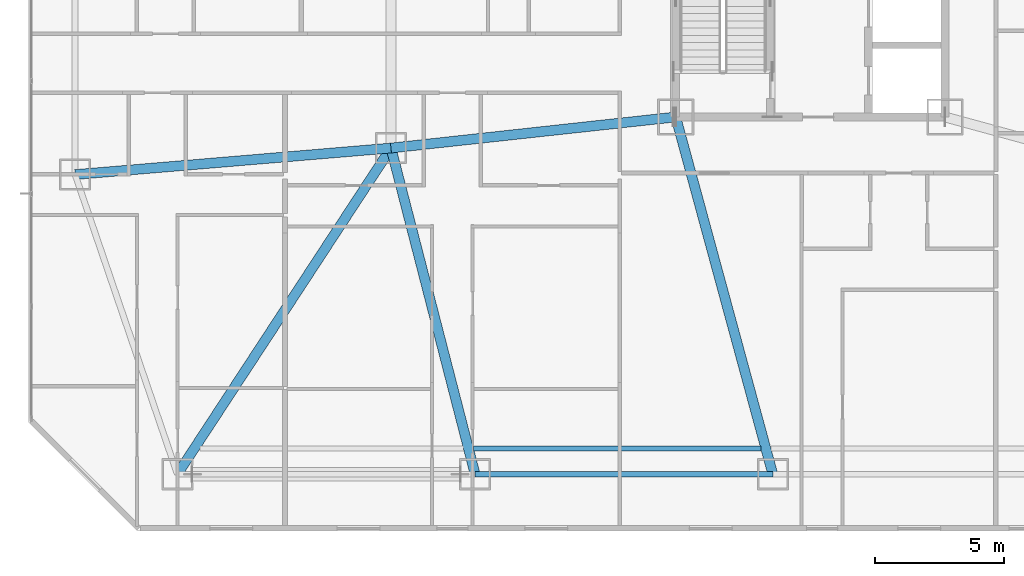
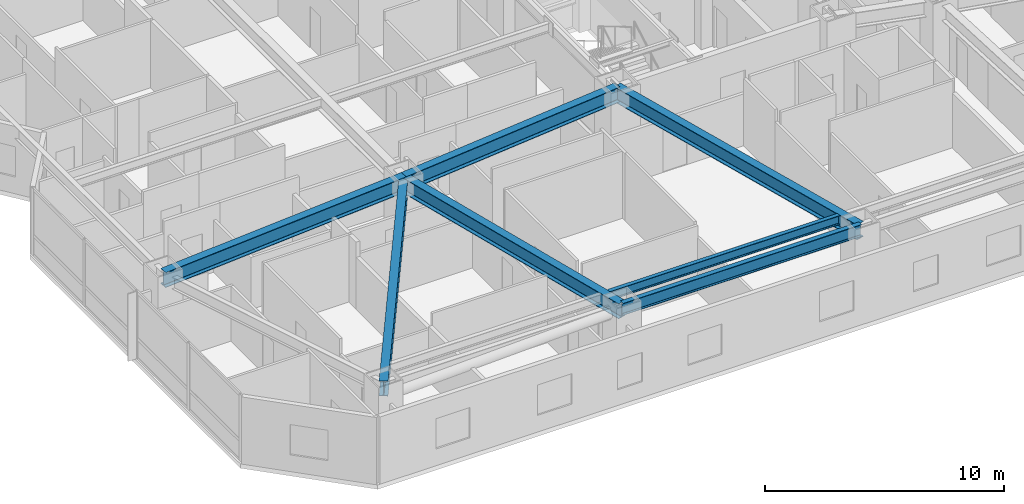
# One storey, part 5 of 25: 7 beams.
"""IFC4 building model written with IfcOpenShell, lengths in metres."""

from ifc_helpers import new_model, si_unit, direction, frame, origin, origin_2d, place, context, subcontext, project, spatial, i_section, extrude, material, material_profile, profile_set, type_object, element, save


model = new_model("IFC4")

# Units and contexts
model_context = context("Model", 3, precision=1e-05, world=origin(), true_north=direction((0.0, 1.0)))
body_context = subcontext(model_context, "Body", "Model", "MODEL_VIEW")
ifc_project = project(units=[si_unit("LENGTHUNIT", "METRE"), si_unit("AREAUNIT", "SQUARE_METRE"), si_unit("VOLUMEUNIT", "CUBIC_METRE"), si_unit("PLANEANGLEUNIT", "RADIAN"), si_unit("MASSUNIT", "GRAM", prefix="KILO")], contexts=[model_context])

# Site, building, storey
site_placement = place(None, origin())
site = spatial("IfcSite", under=ifc_project, at=site_placement, CompositionType="ELEMENT")
building_placement = place(site_placement, origin())
building = spatial("IfcBuilding", under=site, at=building_placement, Name="Khamvora Tower", CompositionType="ELEMENT")
storey_placement = place(building_placement, frame((0.0, 0.0, 36.949951171875)))
storey = spatial("IfcBuildingStorey", under=building, at=storey_placement, Name="L08", CompositionType="ELEMENT", Elevation=36.949951171875)

# Beams
ifc_material = material(Name="Steel S355", Category="steel")
ifc_material_profile_1 = material_profile(ifc_material, i_section(OverallWidth=0.19189453125, OverallDepth=0.462890625, WebThickness=0.010986328125, FlangeThickness=0.01806640625, FilletRadius=0.011962890625, at=origin_2d()), Name="W460x89")
ifc_profile_set_1 = profile_set([ifc_material_profile_1], Name="Steel S355")
beam_type_1 = type_object("IfcBeamType", Name="BM-JS-W460x89", PredefinedType="JOIST", material=ifc_profile_set_1)
beam_1_placement = place(storey_placement, frame((21.18408203125, 6.199951171875, 3.198974609375), z_axis=(1.0, 0.0, 0.0), x_axis=(0.0, 1.0, 0.0)))
element("IfcBeam", 1, at=beam_1_placement, inside=storey, type_object=beam_type_1, Name="L08 secondary floor joist 02", PredefinedType="JOIST", context=body_context, shape_type="SweptSolid", body=[
    extrude(i_section(OverallWidth=0.19189453125, OverallDepth=0.462890625, WebThickness=0.010986328125, FlangeThickness=0.01806640625, FilletRadius=0.011962890625, at=origin_2d()), origin(), (0.0, 0.0, 1.0), 11.101806640625),
])
ifc_material_profile_2 = material_profile(ifc_material, i_section(OverallWidth=0.381103515625, OverallDepth=0.77294921875, WebThickness=0.01708984375, FlangeThickness=0.027099609375, FilletRadius=0.01806640625, at=origin_2d()), Name="W760x257")
ifc_profile_set_2 = profile_set([ifc_material_profile_2], Name="Steel S355")
beam_type_2 = type_object("IfcBeamType", Name="BM-PG-W760x257", PredefinedType="BEAM", material=ifc_profile_set_2)
beam_2_placement = place(storey_placement, frame((18.0, 17.800048828125, 3.0439453125), z_axis=(-0.547782969742, -0.836620474325, 0.0), x_axis=(0.836620474325, -0.547782969742, 0.0)))
element("IfcBeam", 2, at=beam_2_placement, inside=storey, type_object=beam_type_2, Name="L08 primary floor girder S1", PredefinedType="BEAM", context=body_context, shape_type="SweptSolid", body=[
    extrude(i_section(OverallWidth=0.381103515625, OverallDepth=0.77294921875, WebThickness=0.01708984375, FlangeThickness=0.027099609375, FilletRadius=0.01806640625, at=origin_2d()), origin(), (0.0, 0.0, 1.0), 15.060791015625),
])
beam_3_placement = place(storey_placement, frame((18.0, 17.800048828125, 3.0439453125), z_axis=(0.249759990341, -0.968307775051, 0.0), x_axis=(0.968307775051, 0.249759990341, 0.0)))
element("IfcBeam", 3, at=beam_3_placement, inside=storey, type_object=beam_type_2, Name="L08 primary floor girder S2", PredefinedType="BEAM", context=body_context, shape_type="SweptSolid", body=[
    extrude(i_section(OverallWidth=0.381103515625, OverallDepth=0.77294921875, WebThickness=0.01708984375, FlangeThickness=0.027099609375, FilletRadius=0.01806640625, at=origin_2d()), origin(), (0.0, 0.0, 1.0), 13.012451171875),
])
beam_4_placement = place(storey_placement, frame((29.0, 19.0, 3.0439453125), z_axis=(0.262228883577, -0.965005706003, 0.0), x_axis=(0.965005706003, 0.262228883577, 0.0)))
element("IfcBeam", 4, at=beam_4_placement, inside=storey, type_object=beam_type_2, Name="L08 primary floor girder S3", PredefinedType="BEAM", context=body_context, shape_type="SweptSolid", body=[
    extrude(i_section(OverallWidth=0.381103515625, OverallDepth=0.77294921875, WebThickness=0.01708984375, FlangeThickness=0.027099609375, FilletRadius=0.01806640625, at=origin_2d()), origin(), (0.0, 0.0, 1.0), 14.300537109375),
])
beam_5_placement = place(storey_placement, frame((18.0, 17.800048828125, 3.0439453125), z_axis=(-0.996488172114, -0.083733642207, 0.0), x_axis=(0.083733642207, -0.996488172114, 0.0)))
element("IfcBeam", 5, at=beam_5_placement, inside=storey, type_object=beam_type_2, Name="L08 primary floor girder W1", PredefinedType="BEAM", context=body_context, shape_type="SweptSolid", body=[
    extrude(i_section(OverallWidth=0.381103515625, OverallDepth=0.77294921875, WebThickness=0.01708984375, FlangeThickness=0.027099609375, FilletRadius=0.01806640625, at=origin_2d()), origin(), (0.0, 0.0, 1.0), 12.242919921875),
])
beam_6_placement = place(storey_placement, frame((29.0, 19.0, 3.0439453125), z_axis=(-0.994102652327, -0.108443149329, 0.0), x_axis=(0.108443149329, -0.994102652327, 0.0)))
element("IfcBeam", 6, at=beam_6_placement, inside=storey, type_object=beam_type_2, Name="L08 primary floor girder MW1", PredefinedType="BEAM", context=body_context, shape_type="SweptSolid", body=[
    extrude(i_section(OverallWidth=0.381103515625, OverallDepth=0.77294921875, WebThickness=0.01708984375, FlangeThickness=0.027099609375, FilletRadius=0.01806640625, at=origin_2d()), origin(), (0.0, 0.0, 1.0), 11.065185546875),
])
ifc_material_profile_3 = material_profile(ifc_material, i_section(OverallWidth=0.22998046875, OverallDepth=0.616943359375, WebThickness=0.012939453125, FlangeThickness=0.02197265625, FilletRadius=0.013916015625, at=origin_2d()), Name="W610x140")
ifc_profile_set_3 = profile_set([ifc_material_profile_3], Name="Steel S355")
beam_type_3 = type_object("IfcBeamType", Name="BM-SP-W610x140", PredefinedType="SPANDREL", material=ifc_profile_set_3)
beam_7_placement = place(storey_placement, frame((21.25, 5.199951171875, 3.1220703125), z_axis=(1.0, 0.0, 0.0), x_axis=(0.0, 1.0, 0.0)))
element("IfcBeam", 7, at=beam_7_placement, inside=storey, type_object=beam_type_3, Name="L08 perimeter spandrel beam S2-S3", PredefinedType="SPANDREL", context=body_context, shape_type="SweptSolid", body=[
    extrude(i_section(OverallWidth=0.22998046875, OverallDepth=0.616943359375, WebThickness=0.012939453125, FlangeThickness=0.02197265625, FilletRadius=0.013916015625, at=origin_2d()), origin(), (0.0, 0.0, 1.0), 11.5),
])

save(model, "model.ifc")
